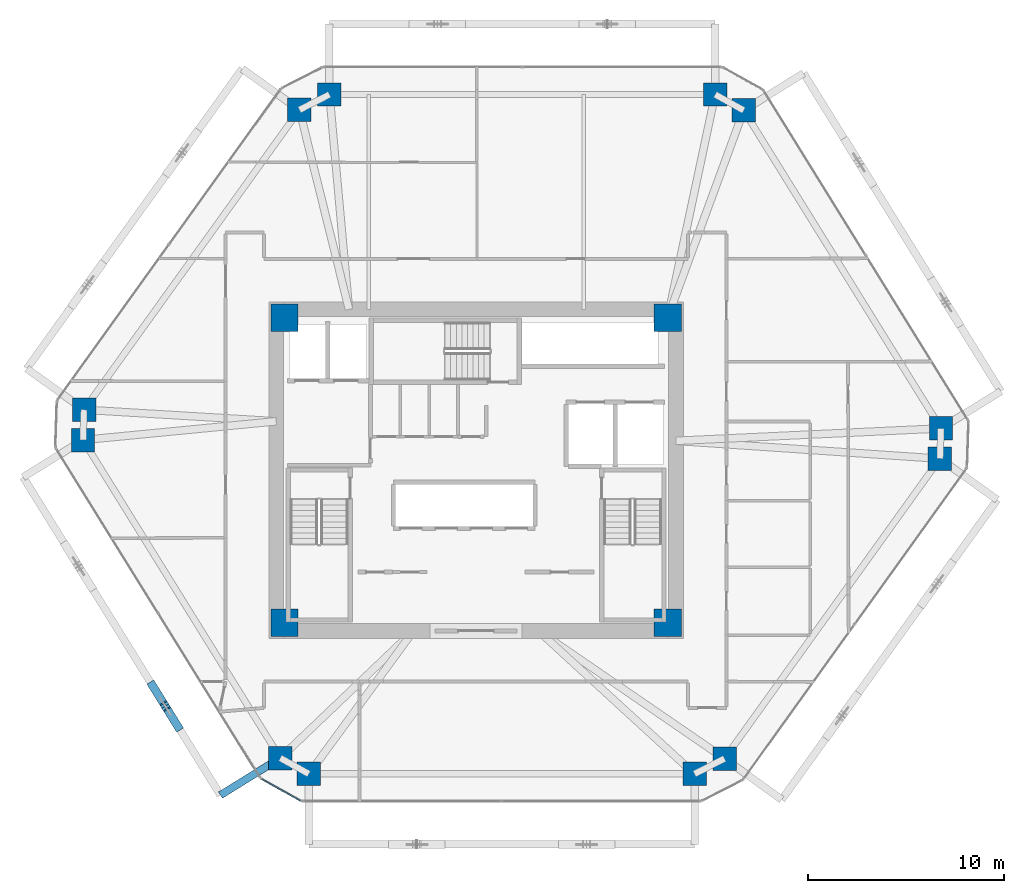
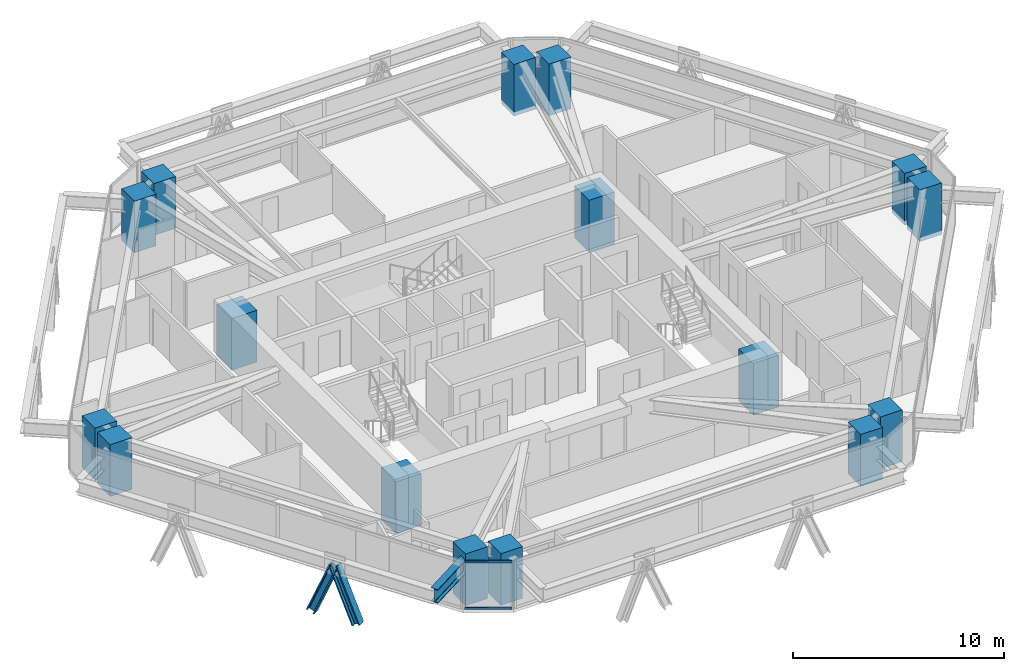
# One storey, part 1 of 17: 16 columns, 4 members, 1 beam, 1 element without a shape of its own.
"""IFC4 building model written with IfcOpenShell, lengths in metres."""

from ifc_helpers import new_model, si_unit, direction, frame, origin, origin_2d, place, context, subcontext, project, spatial, rectangle, i_section, extrude, source, transform, mapped, material, layer, layer_set, material_profile, profile_set, type_object, type_shapes, element, aggregate, save


model = new_model("IFC4")

# Units and contexts
model_context = context("Model", 3, precision=1e-05, world=origin(), true_north=direction((0.0, 1.0)))
body_context = subcontext(model_context, "Body", "Model", "MODEL_VIEW")
ifc_project = project(units=[si_unit("LENGTHUNIT", "METRE"), si_unit("AREAUNIT", "SQUARE_METRE"), si_unit("VOLUMEUNIT", "CUBIC_METRE"), si_unit("PLANEANGLEUNIT", "RADIAN"), si_unit("MASSUNIT", "GRAM", prefix="KILO")], contexts=[model_context])

# Site, building, storey
site_placement = place(None, origin())
site = spatial("IfcSite", under=ifc_project, at=site_placement, CompositionType="ELEMENT")
building_placement = place(site_placement, origin())
building = spatial("IfcBuilding", under=site, at=building_placement, Name="Durnholm Broadcast Tower", CompositionType="ELEMENT")
storey_placement = place(building_placement, frame((0.0, 0.0, 137.10009765625)))
storey = spatial("IfcBuildingStorey", under=building, at=storey_placement, Name="L37", CompositionType="ELEMENT", Elevation=137.10009765625)

# Columns
ifc_material_1 = material(Name="Concrete C70/85", Category="concrete")
ifc_material_profile_1 = material_profile(ifc_material_1, rectangle(XDim=1.39990234375, YDim=1.39990234375, at=origin_2d()), Name="RC1400X1400")
ifc_profile_set_1 = profile_set([ifc_material_profile_1], Name="Concrete C70/85")
column_type_1 = type_object("IfcColumnType", Name="COL-CC-1400", PredefinedType="COLUMN", material=ifc_profile_set_1)
shared_shape_1 = source(origin(), body_context, "Body", "SweptSolid", [
    extrude(rectangle(XDim=1.39990234375, YDim=1.39990234375, at=origin_2d()), origin(), (0.0, 0.0, 1.0), 3.0),
])
type_shapes(column_type_1, [shared_shape_1])
for number, where, z_axis, x_axis, name in (
    (1, (-9.800048828125, -7.800048828125, -0.239990234375), (0.0, 0.0, 1.0), (1.0, 0.0, 0.0), "L37 core corner column 1"),
    (2, (9.800048828125, -7.800048828125, -0.239990234375), (0.0, 0.0, 1.0), (1.0, 0.0, 0.0), "L37 core corner column 2"),
    (3, (9.800048828125, 7.800048828125, -0.239990234375), (0.0, 0.0, 1.0), (1.0, 0.0, 0.0), "L37 core corner column 3"),
    (4, (-9.800048828125, 7.800048828125, -0.239990234375), (0.0, 0.0, 1.0), (1.0, 0.0, 0.0), "L37 core corner column 4"),
):
    element("IfcColumn", number, at=place(storey_placement, frame(where, z_axis=z_axis, x_axis=x_axis)), inside=storey, type_object=column_type_1, Name=name, PredefinedType="COLUMN", context=body_context, shape_type="MappedRepresentation", body=[
        mapped(shared_shape_1, transform((0.0, 0.0, 0.0), x_axis=(1.0, 0.0, 0.0), y_axis=(0.0, 1.0, 0.0), z_axis=(0.0, 0.0, 1.0), scale=1.0)),
    ])
ifc_material_profile_2 = material_profile(ifc_material_1, rectangle(XDim=1.199951171875, YDim=1.199951171875, at=origin_2d()), Name="RC1200X1200")
ifc_profile_set_2 = profile_set([ifc_material_profile_2], Name="Concrete C70/85")
column_type_2 = type_object("IfcColumnType", Name="COL-CC-1200", PredefinedType="COLUMN", material=ifc_profile_set_2)
shared_shape_2 = source(origin(), body_context, "Body", "SweptSolid", [
    extrude(rectangle(XDim=1.199951171875, YDim=1.199951171875, at=origin_2d()), origin(), (0.0, 0.0, 1.0), 3.0),
])
type_shapes(column_type_2, [shared_shape_2])
for number, where, z_axis, x_axis, name in (
    (5, (-10.01416015625, -14.723388671875, -0.239990234375), (0.0, 0.0, 1.0), (1.0, 0.0, 0.0), "L37 perimeter hexagonal tube column 01"),
    (6, (-20.102783203125, 1.54150390625, -0.239990234375), (0.0, 0.0, 1.0), (1.0, 0.0, 0.0), "L37 perimeter hexagonal tube column 02"),
    (7, (-20.050048828125, 3.091064453125, -0.239990234375), (0.0, 0.0, 1.0), (1.0, 0.0, 0.0), "L37 perimeter hexagonal tube column 03"),
    (8, (-9.031982421875, 18.42822265625, -0.239990234375), (0.0, 0.0, 1.0), (1.0, 0.0, 0.0), "L37 perimeter hexagonal tube column 04"),
    (9, (-7.498046875, 19.215087890625, -0.239990234375), (0.0, 0.0, 1.0), (1.0, 0.0, 0.0), "L37 perimeter hexagonal tube column 05"),
    (10, (12.22998046875, 19.215087890625, -0.239990234375), (0.0, 0.0, 1.0), (1.0, 0.0, 0.0), "L37 perimeter hexagonal tube column 06"),
    (11, (13.692138671875, 18.4013671875, -0.239990234375), (0.0, 0.0, 1.0), (1.0, 0.0, 0.0), "L37 perimeter hexagonal tube column 07"),
    (12, (23.78076171875, 2.13671875, -0.239990234375), (0.0, 0.0, 1.0), (1.0, 0.0, 0.0), "L37 perimeter hexagonal tube column 08"),
    (13, (23.72802734375, 0.5869140625, -0.239990234375), (0.0, 0.0, 1.0), (1.0, 0.0, 0.0), "L37 perimeter hexagonal tube column 09"),
    (14, (12.7099609375, -14.750244140625, -0.239990234375), (0.0, 0.0, 1.0), (1.0, 0.0, 0.0), "L37 perimeter hexagonal tube column 10"),
    (15, (11.176025390625, -15.537109375, -0.239990234375), (0.0, 0.0, 1.0), (1.0, 0.0, 0.0), "L37 perimeter hexagonal tube column 11"),
    (16, (-8.552001953125, -15.537109375, -0.239990234375), (0.0, 0.0, 1.0), (1.0, 0.0, 0.0), "L37 perimeter hexagonal tube column 12"),
):
    element("IfcColumn", number, at=place(storey_placement, frame(where, z_axis=z_axis, x_axis=x_axis)), inside=storey, type_object=column_type_2, Name=name, PredefinedType="COLUMN", context=body_context, shape_type="MappedRepresentation", body=[
        mapped(shared_shape_2, transform((0.0, 0.0, 0.0), x_axis=(1.0, 0.0, 0.0), y_axis=(0.0, 1.0, 0.0), z_axis=(0.0, 0.0, 1.0), scale=1.0)),
    ])

# Beam
ifc_material_2 = material(Name="Steel ASTM A992 Grade 50", Category="steel")
ifc_material_profile_3 = material_profile(ifc_material_2, i_section(OverallWidth=0.385009765625, OverallDepth=0.802978515625, WebThickness=0.023681640625, FlangeThickness=0.0419921875, FilletRadius=0.032958984375, at=origin_2d()), Name="W30X261")
ifc_profile_set_3 = profile_set([ifc_material_profile_3], Name="Steel ASTM A992 Grade 50")
beam_type = type_object("IfcBeamType", Name="BM-EXO-TIE", PredefinedType="USERDEFINED", material=ifc_profile_set_3)
shared_shape_3 = source(origin(), body_context, "Body", "SweptSolid", [
    extrude(i_section(OverallWidth=0.385009765625, OverallDepth=0.802978515625, WebThickness=0.023681640625, FlangeThickness=0.0419921875, FilletRadius=0.032958984375, at=origin_2d()), origin(), (0.0, 0.0, 1.0), 3.455810546875),
])
type_shapes(beam_type, [shared_shape_3])
beam_placement = place(storey_placement, frame((-10.13671875, -14.79931640625, 2.008544921875), z_axis=(-0.849807128357, -0.527093772107, 0.0), x_axis=(0.527093772107, -0.849807128357, 0.0)))
element("IfcBeam", 17, at=beam_placement, inside=storey, type_object=beam_type, Name="L37 exoskeleton stand-off tie bracket F6.2", ObjectType="GIRDER", PredefinedType="USERDEFINED", context=body_context, shape_type="MappedRepresentation", body=[
    mapped(shared_shape_3, transform((0.0, 0.0, 0.0), x_axis=(1.0, 0.0, 0.0), y_axis=(0.0, 1.0, 0.0), z_axis=(0.0, 0.0, 1.0), scale=1.0)),
])

# Members
ifc_material_3 = material(Name="Steel ASTM A913 Grade 65", Category="steel")
ifc_material_profile_4 = material_profile(ifc_material_3, i_section(OverallWidth=0.41845703125, OverallDepth=0.455078125, WebThickness=0.0419921875, FlangeThickness=0.067626953125, FilletRadius=0.030517578125, at=origin_2d()), Name="W14X370")
ifc_profile_set_4 = profile_set([ifc_material_profile_4], Name="Steel ASTM A913 Grade 65")
member_type_1 = type_object("IfcMemberType", Name="STL-DG-W14X370", PredefinedType="BRACE", material=ifc_profile_set_4)
shared_shape_4 = source(origin(), body_context, "Body", "SweptSolid", [
    extrude(i_section(OverallWidth=0.41845703125, OverallDepth=0.455078125, WebThickness=0.0419921875, FlangeThickness=0.067626953125, FilletRadius=0.030517578125, at=origin_2d()), origin(), (0.0, 0.0, 1.0), 3.243896484375),
])
member_1_placement = place(storey_placement, frame((-15.247802734375, -13.115234375, -0.991455078125), z_axis=(-0.200499851569, 0.323253326761, 0.924828144175), x_axis=(-0.849805205368, -0.527096872433, 0.0)))
element("IfcMember", 18, at=member_1_placement, inside=storey, type_object=member_type_1, Name="L37 stand-off diagrid brace F6.D2.2", PredefinedType="BRACE", context=body_context, shape_type="MappedRepresentation", body=[
    mapped(shared_shape_4, transform((0.0, 0.0, 0.0), x_axis=(1.0, 0.0, 0.0), y_axis=(0.0, 1.0, 0.0), z_axis=(0.0, 0.0, 1.0), scale=1.0)),
])
shared_shape_5 = source(origin(), body_context, "Body", "SweptSolid", [
    extrude(i_section(OverallWidth=0.41845703125, OverallDepth=0.455078125, WebThickness=0.0419921875, FlangeThickness=0.067626953125, FilletRadius=0.030517578125, at=origin_2d()), origin(), (0.0, 0.0, 1.0), 3.24365234375),
])
type_shapes(member_type_1, [shared_shape_4, shared_shape_5])
member_2_placement = place(storey_placement, frame((-16.548583984375, -11.018310546875, -0.991455078125), z_axis=(0.200504729124, -0.323185925998, 0.924850642447), x_axis=(0.849750220063, 0.527185511469, 0.0)))
element("IfcMember", 19, at=member_2_placement, inside=storey, type_object=member_type_1, Name="L37 stand-off diagrid brace F6.D2.1", PredefinedType="BRACE", context=body_context, shape_type="MappedRepresentation", body=[
    mapped(shared_shape_5, transform((0.0, 0.0, 0.0), x_axis=(1.0, 0.0, 0.0), y_axis=(0.0, 1.0, 0.0), z_axis=(0.0, 0.0, 1.0), scale=1.0)),
])

# Curtain wall, members
ifc_material_4 = material(Name="Aluminium and Solar Control IGU", Category="aluminium")
ifc_layer = layer(ifc_material_4, 0.1650390625)
ifc_layer_set = layer_set([ifc_layer], Name="Aluminium and Solar Control IGU")
curtain_wall_type = type_object("IfcCurtainWallType", Name="CW-SYS-5", PredefinedType="NOTDEFINED", material=ifc_layer_set)
curtain_wall_placement = place(storey_placement, origin())
curtain_wall = element("IfcCurtainWall", 20, at=curtain_wall_placement, inside=storey, type_object=curtain_wall_type, Name="L37 curtain wall CW-CORNER CW-L37-CRN-11", PredefinedType="NOTDEFINED")
ifc_material_5 = material(Name="Aluminium 6063-T6", Category="aluminium")
ifc_material_profile_5 = material_profile(ifc_material_5, rectangle(XDim=0.06494140625, YDim=0.1298828125, at=origin_2d()), Name="CWT65X130")
ifc_profile_set_5 = profile_set([ifc_material_profile_5], Name="Aluminium 6063-T6")
member_type_2 = type_object("IfcMemberType", Name="CW-SYS-5-TRN", PredefinedType="USERDEFINED", material=ifc_profile_set_5)
shared_shape_6 = source(origin(), body_context, "Body", "SweptSolid", [
    extrude(rectangle(XDim=0.06494140625, YDim=0.1298828125, at=origin_2d()), origin(), (0.0, 0.0, 1.0), 2.27001953125),
])
type_shapes(member_type_2, [shared_shape_6])
member_3_placement = place(storey_placement, frame((-8.971923828125, -16.9052734375, 0.032470703125), z_axis=(-0.873832405737, 0.486227237703, 0.0), x_axis=(-0.486227237703, -0.873832405737, 0.0)))
member_3 = element("IfcMember", 21, at=member_3_placement, type_object=member_type_2, Name="CW-CORNER transom 1.1", ObjectType="TRANSOM", PredefinedType="USERDEFINED", context=body_context, shape_type="MappedRepresentation", body=[
    mapped(shared_shape_6, transform((0.0, 0.0, 0.0), x_axis=(1.0, 0.0, 0.0), y_axis=(0.0, 1.0, 0.0), z_axis=(0.0, 0.0, 1.0), scale=1.0)),
])
member_4_placement = place(storey_placement, frame((-8.971923828125, -16.9052734375, 2.727294921875), z_axis=(-0.873832405737, 0.486227237703, 0.0), x_axis=(-0.486227237703, -0.873832405737, 0.0)))
member_4 = element("IfcMember", 22, at=member_4_placement, type_object=member_type_2, Name="CW-CORNER transom 1.2", ObjectType="TRANSOM", PredefinedType="USERDEFINED", context=body_context, shape_type="MappedRepresentation", body=[
    mapped(shared_shape_6, transform((0.0, 0.0, 0.0), x_axis=(1.0, 0.0, 0.0), y_axis=(0.0, 1.0, 0.0), z_axis=(0.0, 0.0, 1.0), scale=1.0)),
])
aggregate(curtain_wall, [member_3, member_4])

save(model, "model.ifc")
